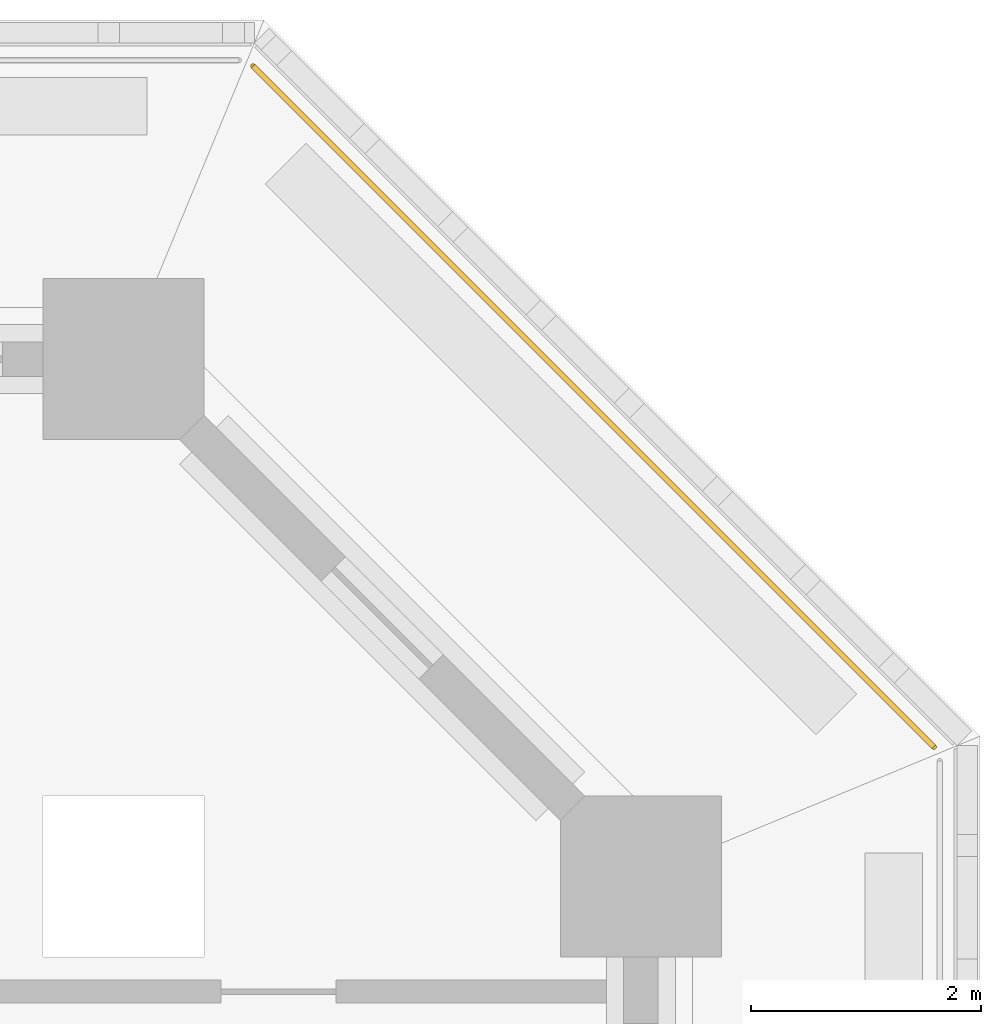
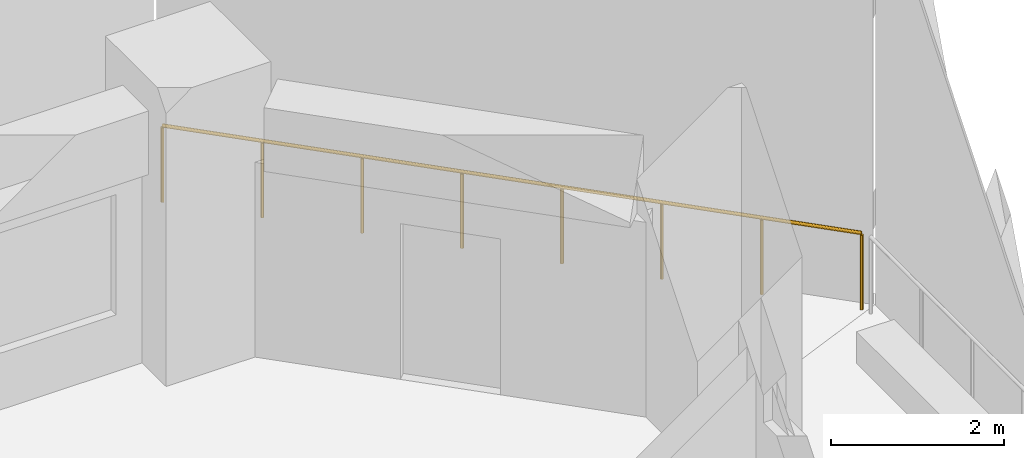
# One storey, part 14 of 15: 1 railing.
"""IFC4 building model written with IfcOpenShell, lengths in metres."""

from ifc_helpers import new_model, si_unit, direction, frame, origin, origin_2d, place, context, subcontext, project, spatial, circle, extrude, material, type_object, element, save


model = new_model("IFC4")

# Units and contexts
model_context = context("Model", 3, precision=1e-05, world=origin(), true_north=direction((0.0, 1.0)))
body_context = subcontext(model_context, "Body", "Model", "MODEL_VIEW")
ifc_project = project(units=[si_unit("LENGTHUNIT", "METRE"), si_unit("AREAUNIT", "SQUARE_METRE"), si_unit("VOLUMEUNIT", "CUBIC_METRE"), si_unit("PLANEANGLEUNIT", "RADIAN"), si_unit("MASSUNIT", "GRAM", prefix="KILO")], contexts=[model_context])

# Site, building, storey
site_placement = place(None, origin())
site = spatial("IfcSite", under=ifc_project, at=site_placement, CompositionType="ELEMENT")
building_placement = place(site_placement, origin())
building = spatial("IfcBuilding", under=site, at=building_placement, Name="Corbel Stack Research Tower", CompositionType="ELEMENT")
storey_placement = place(building_placement, frame((0.0, 0.0, 41.89990234375)))
storey = spatial("IfcBuildingStorey", under=building, at=storey_placement, Name="L09", CompositionType="ELEMENT", Elevation=41.89990234375)

# Railing
ifc_material = material(Name="Powder-coated steel guard", Category="steel")
railing_type = type_object("IfcRailingType", Name="Steel and glass guard 1100", PredefinedType="GUARDRAIL", material=ifc_material)
railing_placement = place(storey_placement, frame((34.04931640625, 23.627685546875, 0.0)))
element("IfcRailing", 1, at=railing_placement, inside=storey, type_object=railing_type, Name="Loggia guard L09 NE", PredefinedType="GUARDRAIL", context=body_context, shape_type="SweptSolid", body=[
    extrude(circle(Radius=0.02392578125, at=origin_2d()), frame((0.0, 0.0, 1.076171875), z_axis=(-0.707106781187, 0.707106781187, 0.0), x_axis=(-0.707106781187, -0.707106781187, 0.0)), (0.0, 0.0, 1.0), 8.37451171875),
    extrude(circle(Radius=0.02099609375, at=origin_2d()), origin(), (0.0, 0.0, 1.0), 1.052001953125),
    extrude(circle(Radius=0.02099609375, at=origin_2d()), frame((-0.845947265625, 0.845947265625, 0.0)), (0.0, 0.0, 1.0), 1.052001953125),
    extrude(circle(Radius=0.02099609375, at=origin_2d()), frame((-1.69189453125, 1.69189453125, 0.0)), (0.0, 0.0, 1.0), 1.052001953125),
    extrude(circle(Radius=0.02099609375, at=origin_2d()), frame((-2.537841796875, 2.537841796875, 0.0)), (0.0, 0.0, 1.0), 1.052001953125),
    extrude(circle(Radius=0.02099609375, at=origin_2d()), frame((-3.3837890625, 3.3837890625, 0.0)), (0.0, 0.0, 1.0), 1.052001953125),
    extrude(circle(Radius=0.02099609375, at=origin_2d()), frame((-4.229736328125, 4.229736328125, 0.0)), (0.0, 0.0, 1.0), 1.052001953125),
    extrude(circle(Radius=0.02099609375, at=origin_2d()), frame((-5.07568359375, 5.07568359375, 0.0)), (0.0, 0.0, 1.0), 1.052001953125),
    extrude(circle(Radius=0.02099609375, at=origin_2d()), frame((-5.921630859375, 5.921630859375, 0.0)), (0.0, 0.0, 1.0), 1.052001953125),
])

save(model, "model.ifc")
